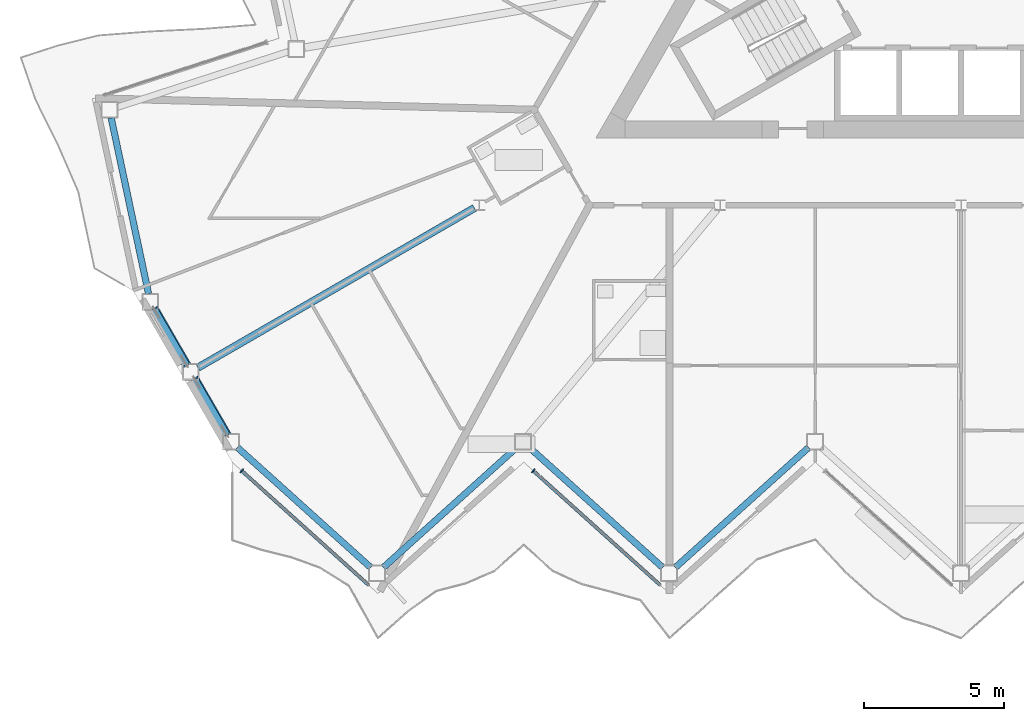
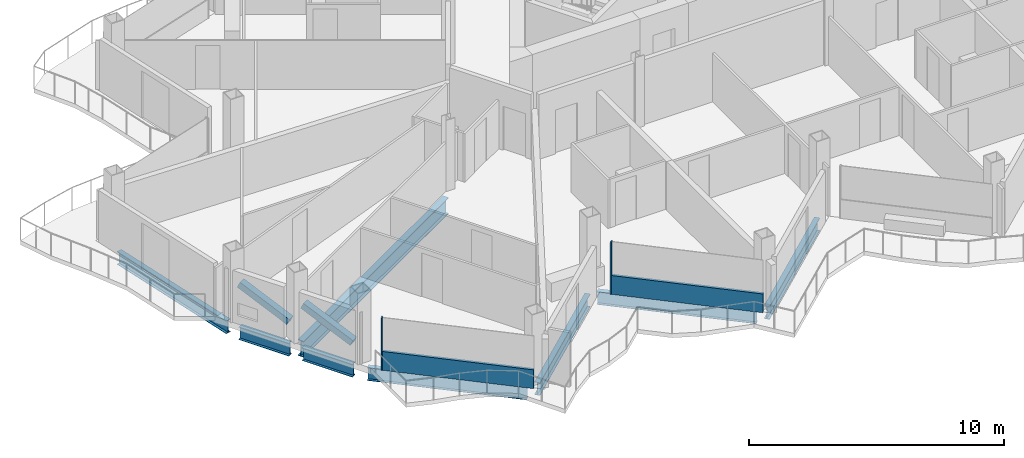
# One storey, part 4 of 28: 8 beams, 6 members, 2 elements without a shape of their own.
"""IFC4 building model written with IfcOpenShell, lengths in metres."""

from ifc_helpers import new_model, si_unit, direction, frame, origin, origin_2d, place, context, subcontext, project, spatial, rectangle, hollow_rectangle, i_section, extrude, material, layer, layer_set, material_profile, profile_set, type_object, element, aggregate, save


model = new_model("IFC4")

# Units and contexts
model_context = context("Model", 3, precision=1e-05, world=origin(), true_north=direction((0.0, 1.0)))
body_context = subcontext(model_context, "Body", "Model", "MODEL_VIEW")
ifc_project = project(units=[si_unit("LENGTHUNIT", "METRE"), si_unit("AREAUNIT", "SQUARE_METRE"), si_unit("VOLUMEUNIT", "CUBIC_METRE"), si_unit("PLANEANGLEUNIT", "RADIAN"), si_unit("MASSUNIT", "GRAM", prefix="KILO")], contexts=[model_context])

# Site, building, storey
site_placement = place(None, origin())
site = spatial("IfcSite", under=ifc_project, at=site_placement, CompositionType="ELEMENT")
building_placement = place(site_placement, origin())
building = spatial("IfcBuilding", under=site, at=building_placement, Name="Cormorant Prow Tower", CompositionType="ELEMENT")
storey_placement = place(building_placement, frame((0.0, 0.0, 305.199951171875)))
storey = spatial("IfcBuildingStorey", under=building, at=storey_placement, Name="L66", CompositionType="ELEMENT", Elevation=305.199951171875)

# Members
ifc_material_1 = material(Name="Structural steel ASTM A500 Gr C", Category="steel")
ifc_material_profile_1 = material_profile(ifc_material_1, hollow_rectangle(XDim=0.3046875, YDim=0.3046875, WallThickness=0.01171875, at=origin_2d()), Name="HSS12x12x1/2")
ifc_profile_set_1 = profile_set([ifc_material_profile_1], Name="Structural steel ASTM A500 Gr C")
member_type_1 = type_object("IfcMemberType", Name="Chamfer brace HSS12x12x1/2", PredefinedType="BRACE", material=ifc_profile_set_1)
for number, where, z_axis, x_axis, name in (
    (1, (-27.589599609375, -15.5654296875, 0.7412109375), (-0.456265706889, 0.790324476185, 0.408911759503), (-0.866038851724, -0.499976706761, 0.0), "Chamfer brace BR3 at WSW00 L66"),
    (2, (-26.15283203125, -18.05419921875, 0.7412109375), (-0.456265706889, 0.790324476185, 0.408911759503), (-0.866038851724, -0.499976706761, 0.0), "Chamfer brace BR3 at WSW01 L66"),
):
    element("IfcMember", number, at=place(storey_placement, frame(where, z_axis=z_axis, x_axis=x_axis)), inside=storey, type_object=member_type_1, Name=name, PredefinedType="BRACE", context=body_context, shape_type="SweptSolid", body=[
        extrude(hollow_rectangle(XDim=0.3046875, YDim=0.3046875, WallThickness=0.01171875, at=origin_2d()), origin(), (0.0, 0.0, 1.0), 2.459228515625),
    ])

# Beam
ifc_material_2 = material(Name="Structural steel ASTM A992 Gr 50", Category="steel")
ifc_material_profile_2 = material_profile(ifc_material_2, i_section(OverallWidth=0.267822265625, OverallDepth=0.77001953125, WebThickness=0.015625, FlangeThickness=0.025390625, at=origin_2d()), Name="W30x132")
ifc_profile_set_2 = profile_set([ifc_material_profile_2], Name="Structural steel ASTM A992 Gr 50")
beam_type_1 = type_object("IfcBeamType", Name="Radial floor beam W30x132", PredefinedType="BEAM", material=ifc_profile_set_2)
beam_1_placement = place(storey_placement, frame((-17.328125, -10.00439453125, -0.684814453125), z_axis=(-0.866024637028, -0.500001328059, 0.0), x_axis=(0.500001328059, -0.866024637028, 0.0)))
element("IfcBeam", 3, at=beam_1_placement, inside=storey, type_object=beam_type_1, Name="Radial floor beam FB3 5 L66", PredefinedType="BEAM", context=body_context, shape_type="SweptSolid", body=[
    extrude(i_section(OverallWidth=0.267822265625, OverallDepth=0.77001953125, WebThickness=0.015625, FlangeThickness=0.025390625, at=origin_2d()), origin(), (0.0, 0.0, 1.0), 11.3671875),
])

# Curtain wall, member
ifc_material_3 = material(Name="Aluminium 6063-T6", Category="aluminium")
ifc_layer = layer(ifc_material_3, 0.159912109375)
ifc_layer_set = layer_set([ifc_layer], Name="Aluminium 6063-T6")
curtain_wall_type = type_object("IfcCurtainWallType", Name="Residential unitised curtain wall 160", PredefinedType="NOTDEFINED", material=ifc_layer_set)
curtain_wall_1_placement = place(storey_placement, origin())
curtain_wall_1 = element("IfcCurtainWall", 4, at=curtain_wall_1_placement, inside=storey, type_object=curtain_wall_type, Name="Residential curtain wall S00", PredefinedType="NOTDEFINED")
ifc_material_4 = material(Name="Aluminium 6063-T6", Category="aluminium")
ifc_material_profile_3 = material_profile(ifc_material_4, rectangle(XDim=0.159912109375, YDim=0.050048828125, at=origin_2d()), Name="Residential mullion 50x160")
ifc_profile_set_3 = profile_set([ifc_material_profile_3], Name="Aluminium 6063-T6")
member_type_2 = type_object("IfcMemberType", Name="Residential mullion 50x160", PredefinedType="MULLION", material=ifc_profile_set_3)
member_1_placement = place(storey_placement, frame((-25.613525390625, -19.362060546875, 0.0), z_axis=(0.0, 0.0, 1.0), x_axis=(0.669130584997, 0.743144844712, 0.0)))
member_1 = element("IfcMember", 5, at=member_1_placement, type_object=member_type_2, Name="Residential mullion S00", PredefinedType="MULLION", context=body_context, shape_type="SweptSolid", body=[
    extrude(rectangle(XDim=0.159912109375, YDim=0.050048828125, at=origin_2d()), origin(), (0.0, 0.0, 1.0), 2.488037109375),
])

curtain_wall_2_placement = place(storey_placement, origin())
curtain_wall_2 = element("IfcCurtainWall", 6, at=curtain_wall_2_placement, inside=storey, type_object=curtain_wall_type, Name="Residential curtain wall S02", PredefinedType="NOTDEFINED")
member_2_placement = place(storey_placement, frame((-15.231689453125, -19.362060546875, 0.0), z_axis=(0.0, 0.0, 1.0), x_axis=(0.669130584997, 0.743144844712, 0.0)))
member_2 = element("IfcMember", 7, at=member_2_placement, type_object=member_type_2, Name="Residential mullion S02", PredefinedType="MULLION", context=body_context, shape_type="SweptSolid", body=[
    extrude(rectangle(XDim=0.159912109375, YDim=0.050048828125, at=origin_2d()), origin(), (0.0, 0.0, 1.0), 2.488037109375),
])

# Member
ifc_material_5 = material(Name="Terracotta", Category="masonry")
ifc_material_profile_4 = material_profile(ifc_material_5, rectangle(XDim=0.1201171875, YDim=0.89990234375, at=origin_2d()), Name="Residential terracotta spandrel rail 120x900")
ifc_profile_set_4 = profile_set([ifc_material_profile_4], Name="Terracotta")
member_type_3 = type_object("IfcMemberType", Name="Residential terracotta spandrel rail 120x900", PredefinedType="USERDEFINED", material=ifc_profile_set_4)
member_3_placement = place(storey_placement, frame((-25.594970703125, -19.37890625, 0.449951171875), z_axis=(0.74315806971, -0.669115896856, 0.0), x_axis=(0.669115896856, 0.74315806971, 0.0)))
member_3 = element("IfcMember", 8, at=member_3_placement, type_object=member_type_3, Name="Residential spandrel rail S00", ObjectType="TRANSOM", PredefinedType="USERDEFINED", context=body_context, shape_type="SweptSolid", body=[
    extrude(rectangle(XDim=0.1201171875, YDim=0.89990234375, at=origin_2d()), origin(), (0.0, 0.0, 1.0), 6.067138671875),
])

aggregate(curtain_wall_1, [member_1, member_3])

member_4_placement = place(storey_placement, frame((-15.213134765625, -19.37890625, 0.449951171875), z_axis=(0.74315806971, -0.669115896856, 0.0), x_axis=(0.669115896856, 0.74315806971, 0.0)))
member_4 = element("IfcMember", 9, at=member_4_placement, type_object=member_type_3, Name="Residential spandrel rail S02", ObjectType="TRANSOM", PredefinedType="USERDEFINED", context=body_context, shape_type="SweptSolid", body=[
    extrude(rectangle(XDim=0.1201171875, YDim=0.89990234375, at=origin_2d()), origin(), (0.0, 0.0, 1.0), 6.067138671875),
])

aggregate(curtain_wall_2, [member_2, member_4])

# Beams
ifc_material_6 = material(Name="Structural steel ASTM A992 Gr 50", Category="steel")
ifc_material_profile_5 = material_profile(ifc_material_6, i_section(OverallWidth=0.22900390625, OverallDepth=0.612060546875, WebThickness=0.011962890625, FlangeThickness=0.01953125, at=origin_2d()), Name="W24x84")
ifc_profile_set_5 = profile_set([ifc_material_profile_5], Name="Structural steel ASTM A992 Gr 50")
beam_type_2 = type_object("IfcBeamType", Name="Spandrel beam W24x84", PredefinedType="SPANDREL", material=ifc_profile_set_5)
beam_2_placement = place(storey_placement, frame((-25.7724609375, -18.527587890625, -0.60595703125), z_axis=(0.743144186555, -0.669131315954, 0.0), x_axis=(0.669131315954, 0.743144186555, 0.0)))
element("IfcBeam", 10, at=beam_2_placement, inside=storey, type_object=beam_type_2, Name="Spandrel beam SB3 S00-S01 L66", PredefinedType="SPANDREL", context=body_context, shape_type="SweptSolid", body=[
    extrude(i_section(OverallWidth=0.22900390625, OverallDepth=0.612060546875, WebThickness=0.011962890625, FlangeThickness=0.01953125, at=origin_2d()), origin(), (0.0, 0.0, 1.0), 6.39599609375),
])
beam_3_placement = place(storey_placement, frame((-20.573486328125, -22.807373046875, -0.60595703125), z_axis=(0.743161276225, 0.669112335502, 0.0), x_axis=(-0.669112335502, 0.743161276225, 0.0)))
element("IfcBeam", 11, at=beam_3_placement, inside=storey, type_object=beam_type_2, Name="Spandrel beam SB3 S01-S02 L66", PredefinedType="SPANDREL", context=body_context, shape_type="SweptSolid", body=[
    extrude(i_section(OverallWidth=0.22900390625, OverallDepth=0.612060546875, WebThickness=0.011962890625, FlangeThickness=0.01953125, at=origin_2d()), origin(), (0.0, 0.0, 1.0), 6.396240234375),
])
for number, where, z_axis, x_axis, name in (
    (12, (-15.374267578125, -18.527587890625, -0.60595703125), (0.743144186555, -0.669131315954, 0.0), (0.669131315954, 0.743144186555, 0.0), "Spandrel beam SB3 S02-S03 L66"),
    (13, (-10.17529296875, -22.807373046875, -0.60595703125), (0.743144186555, 0.669131315954, 0.0), (-0.669131315954, 0.743144186555, 0.0), "Spandrel beam SB3 S03-S04 L66"),
):
    element("IfcBeam", number, at=place(storey_placement, frame(where, z_axis=z_axis, x_axis=x_axis)), inside=storey, type_object=beam_type_2, Name=name, PredefinedType="SPANDREL", context=body_context, shape_type="SweptSolid", body=[
        extrude(i_section(OverallWidth=0.22900390625, OverallDepth=0.612060546875, WebThickness=0.011962890625, FlangeThickness=0.01953125, at=origin_2d()), origin(), (0.0, 0.0, 1.0), 6.39599609375),
    ])
beam_4_placement = place(storey_placement, frame((-30.261474609375, -6.799560546875, -0.60595703125), z_axis=(0.20791262393, -0.978147402394, 0.0), x_axis=(0.978147402394, 0.20791262393, 0.0)))
element("IfcBeam", 14, at=beam_4_placement, inside=storey, type_object=beam_type_2, Name="Spandrel beam SB3 WNW09-WSW00 L66", PredefinedType="SPANDREL", context=body_context, shape_type="SweptSolid", body=[
    extrude(i_section(OverallWidth=0.22900390625, OverallDepth=0.612060546875, WebThickness=0.011962890625, FlangeThickness=0.01953125, at=origin_2d()), origin(), (0.0, 0.0, 1.0), 6.396240234375),
])
beam_5_placement = place(storey_placement, frame((-28.71923828125, -13.609130859375, -0.60595703125), z_axis=(0.500053962254, -0.865994246421, 0.0), x_axis=(0.865994246421, 0.500053962254, 0.0)))
element("IfcBeam", 15, at=beam_5_placement, inside=storey, type_object=beam_type_2, Name="Spandrel beam SB3 WSW00-WSW01 L66", PredefinedType="SPANDREL", context=body_context, shape_type="SweptSolid", body=[
    extrude(i_section(OverallWidth=0.22900390625, OverallDepth=0.612060546875, WebThickness=0.011962890625, FlangeThickness=0.01953125, at=origin_2d()), origin(), (0.0, 0.0, 1.0), 2.273681640625),
])
beam_6_placement = place(storey_placement, frame((-27.2822265625, -16.097900390625, -0.60595703125), z_axis=(0.49997342893, -0.866040744055, 0.0), x_axis=(0.866040744055, 0.49997342893, 0.0)))
element("IfcBeam", 16, at=beam_6_placement, inside=storey, type_object=beam_type_2, Name="Spandrel beam SB3 WSW01-S00 L66", PredefinedType="SPANDREL", context=body_context, shape_type="SweptSolid", body=[
    extrude(i_section(OverallWidth=0.22900390625, OverallDepth=0.612060546875, WebThickness=0.011962890625, FlangeThickness=0.01953125, at=origin_2d()), origin(), (0.0, 0.0, 1.0), 2.2734375),
])

save(model, "model.ifc")
